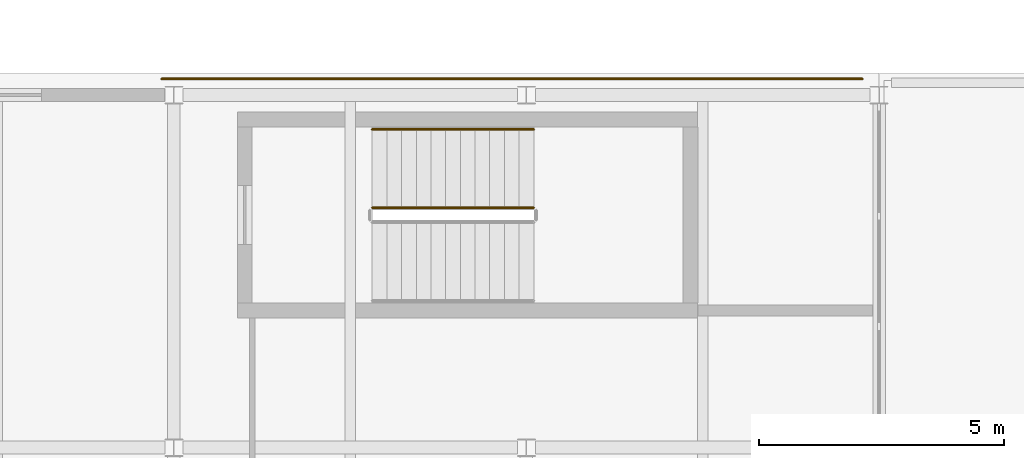
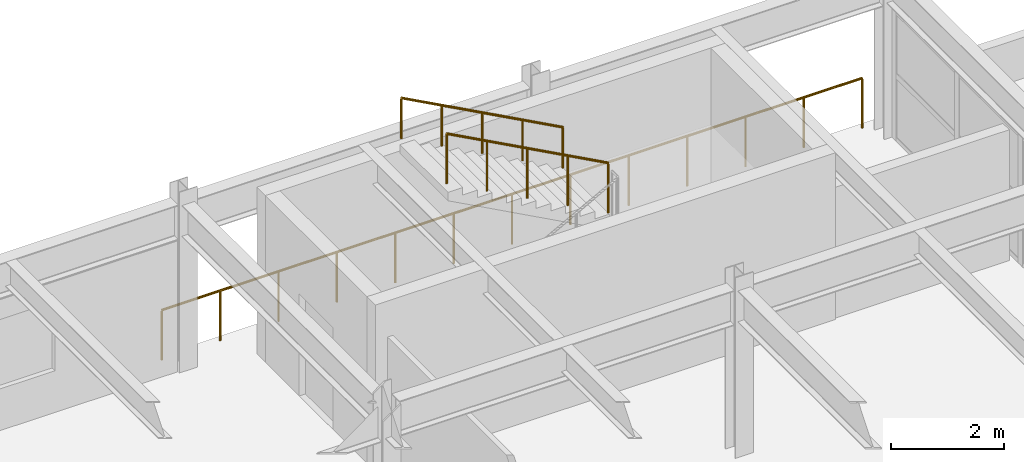
# One storey, part 80 of 80: 3 railings.
"""IFC4 building model written with IfcOpenShell, lengths in metres."""

import ifcopenshell
import ifcopenshell.guid

model = None  # the IFC model being written
_history = None  # IfcOwnerHistory: only IFC2X3 demands one
_inside = {}  # id of a spatial element -> (the spatial element, [elements in it])
_under = {}  # id of a project, library or spatial element -> (it, [spatial elements below it])
_declared = {}  # id of a project -> (the project, [libraries it declares])
_typed = {}  # id of a type object -> (the type object, [elements of that type])
_made_of = {}  # id of a material, layer set ... -> (it, [elements and type objects made of it])


def new_model(schema):
    """Start an empty IFC model of exactly this schema.

    Asked for "IFC4X3", IfcOpenShell would pick the latest addendum, in which some entities
    have other attributes; the version numbers below select the first issue.
    IFC2X3 requires an IfcOwnerHistory on every rooted entity: one is made here for all.
    """
    global model, _history
    if schema == "IFC4X3":
        model = ifcopenshell.file(schema_version=(4, 3, 0, 0))
    else:
        model = ifcopenshell.file(schema=schema)
    _inside.clear()
    _under.clear()
    _declared.clear()
    _typed.clear()
    _made_of.clear()
    _history = None
    if model.schema == "IFC2X3":
        org = make("IfcOrganization", Name="unknown")
        user = make(
            "IfcPersonAndOrganization",
            ThePerson=make("IfcPerson", FamilyName="unknown"),
            TheOrganization=org,
        )
        app = make(
            "IfcApplication",
            ApplicationDeveloper=org,
            Version="unknown",
            ApplicationFullName="unknown",
            ApplicationIdentifier="unknown",
        )
        _history = make(
            "IfcOwnerHistory",
            OwningUser=user,
            OwningApplication=app,
            ChangeAction="ADDED",
            CreationDate=0,
        )
    return model


def make(cls, **values):
    """One entity of the class cls with the attributes given. An attribute that is None is left unset."""
    return model.create_entity(
        cls, **{name: value for name, value in values.items() if value is not None}
    )


def rooted(cls, **values):
    """An entity with a GlobalId (a new one), such as an element, a storey or a relation."""
    return make(cls, GlobalId=ifcopenshell.guid.new(), OwnerHistory=_history, **values)


def si_unit(unit_type, name, prefix=None):
    """IfcSIUnit, for example si_unit("LENGTHUNIT", "METRE", prefix="MILLI")."""
    return make("IfcSIUnit", UnitType=unit_type, Prefix=prefix, Name=name)


def assignment(units):
    """IfcUnitAssignment: the units of a project."""
    return None if units is None else make("IfcUnitAssignment", Units=units)


def point(xyz):
    """IfcCartesianPoint."""
    return None if xyz is None else make("IfcCartesianPoint", Coordinates=xyz)


def direction(xyz):
    """IfcDirection."""
    return None if xyz is None else make("IfcDirection", DirectionRatios=xyz)


def frame(location, z_axis=None, x_axis=None):
    """IfcAxis2Placement3D, a coordinate frame: its origin and axes. An axis left out is left unset."""
    return make(
        "IfcAxis2Placement3D",
        Location=point(location),
        Axis=direction(z_axis),
        RefDirection=direction(x_axis),
    )


def frame_2d(location, x_axis=None):
    """IfcAxis2Placement2D, a coordinate frame in the plane: its origin and x axis."""
    return make(
        "IfcAxis2Placement2D", Location=point(location), RefDirection=direction(x_axis)
    )


def origin():
    """The frame at (0, 0, 0) with its axes left unset."""
    return frame((0.0, 0.0, 0.0))


def origin_2d():
    """The frame at (0, 0) in the plane with its x axis left unset."""
    return frame_2d((0.0, 0.0))


def place(relative_to, where):
    """IfcLocalPlacement: puts the frame where relative to a parent placement (None: the world)."""
    return make(
        "IfcLocalPlacement", PlacementRelTo=relative_to, RelativePlacement=where
    )


def context(
    kind, dimensions, precision=None, world=None, true_north=None, identifier=None
):
    """IfcGeometricRepresentationContext, for example the 3D "Model" context."""
    return make(
        "IfcGeometricRepresentationContext",
        ContextIdentifier=identifier,
        ContextType=kind,
        CoordinateSpaceDimension=dimensions,
        Precision=precision,
        WorldCoordinateSystem=world,
        TrueNorth=true_north,
    )


def subcontext(parent, identifier, kind, view, scale=None):
    """IfcGeometricRepresentationSubContext, for example "Body" below "Model"."""
    return make(
        "IfcGeometricRepresentationSubContext",
        ContextIdentifier=identifier,
        ContextType=kind,
        ParentContext=parent,
        TargetScale=scale,
        TargetView=view,
    )


def project(units=None, contexts=None):
    """IfcProject with its units and contexts."""
    return rooted(
        "IfcProject",
        Name="project",
        RepresentationContexts=contexts,
        UnitsInContext=assignment(units),
    )


def spatial(cls, under=None, at=None, **own):
    """A site, building, storey or space (cls), placed at a placement, below another one or the project."""
    s = rooted(cls, ObjectPlacement=at, **own)
    if under is not None:
        _under.setdefault(under.id(), (under, []))[1].append(s)
    return s


def profile(cls, at=None, kind="AREA", **sizes):
    """A parametric profile (cls). Its sizes go by their IFC names, for example OverallWidth=200.0."""
    return make(cls, ProfileType=kind, Position=at, **sizes)


def circle(**sizes):
    """IfcCircleProfileDef."""
    return profile("IfcCircleProfileDef", **sizes)


def extrude(swept, where, along, depth):
    """IfcExtrudedAreaSolid: the profile swept, set in the frame where, extruded along a direction by depth."""
    return make(
        "IfcExtrudedAreaSolid",
        SweptArea=swept,
        Position=where,
        ExtrudedDirection=direction(along),
        Depth=depth,
    )


def shape(context_of_items, identifier, shape_type, items):
    """IfcShapeRepresentation: the items that make up one representation, for example the "Body"."""
    return make(
        "IfcShapeRepresentation",
        ContextOfItems=context_of_items,
        RepresentationIdentifier=identifier,
        RepresentationType=shape_type,
        Items=items,
    )


def material(Name=None, Category=None):
    """IfcMaterial."""
    return make("IfcMaterial", Name=Name, Category=Category)


def layer(
    of_material, thickness, ventilated=None, Name=None, Category=None, Priority=None
):
    """IfcMaterialLayer: one layer of a wall or slab, of a material (None: an air gap)."""
    return make(
        "IfcMaterialLayer",
        Material=of_material,
        LayerThickness=thickness,
        IsVentilated=ventilated,
        Name=Name,
        Category=Category,
        Priority=Priority,
    )


def layer_set(layers, Name=None):
    """IfcMaterialLayerSet."""
    return make("IfcMaterialLayerSet", MaterialLayers=layers, LayerSetName=Name)


def made_of(thing, what):
    """Note that an element or type object is made of a material, layer set ...; save() writes the relation."""
    if what is not None:
        _made_of.setdefault(what.id(), (what, []))[1].append(thing)
    return thing


def type_object(cls, material=None, **own):
    """A type object (cls), such as IfcWallType, which elements share."""
    return made_of(rooted(cls, **own), material)


def element(
    cls,
    number,
    at=None,
    inside=None,
    cuts=None,
    type_object=None,
    material=None,
    context=None,
    identifier="Body",
    shape_type=None,
    held_by="IfcProductDefinitionShape",
    body=None,
    shapes=None,
    **own,
):
    """One element of the class cls, such as IfcWall. Its Tag is "e" and its number.

    at: its placement. inside: the storey or other place that contains it. cuts: it is an
    opening in that element (IfcRelVoidsElement). A single representation is given by context,
    identifier, shape_type and body (its items); several are given by shapes. held_by: the class
    of the entity that holds the representations. save() writes the other relations.
    """
    e = rooted(cls, Tag="e%d" % number, ObjectPlacement=at, **own)
    if body is not None:
        shapes = [shape(context, identifier, shape_type, body)]
    if shapes is not None:
        e.Representation = make(held_by, Representations=shapes)
    if inside is not None:
        _inside.setdefault(inside.id(), (inside, []))[1].append(e)
    if cuts is not None:
        rooted(
            "IfcRelVoidsElement", RelatingBuildingElement=cuts, RelatedOpeningElement=e
        )
    if type_object is not None:
        _typed.setdefault(type_object.id(), (type_object, []))[1].append(e)
    return made_of(e, material)


def aggregate(whole, parts):
    """IfcRelAggregates: a whole, such as a stair, and the parts it consists of."""
    return rooted("IfcRelAggregates", RelatingObject=whole, RelatedObjects=parts)


def save(model, path):
    """Write the relations noted so far, then the file.

    IfcRelAggregates (storeys below a building ...), IfcRelContainedInSpatialStructure (elements
    in a storey), IfcRelDefinesByType, IfcRelAssociatesMaterial and IfcRelDeclares: one each for
    every whole, place, type object, material and project.
    """
    for whole, parts in _under.values():
        aggregate(whole, parts)
    for where, things in _inside.values():
        rooted(
            "IfcRelContainedInSpatialStructure",
            RelatedElements=things,
            RelatingStructure=where,
        )
    for kind, things in _typed.values():
        rooted("IfcRelDefinesByType", RelatedObjects=things, RelatingType=kind)
    for what, things in _made_of.values():
        rooted("IfcRelAssociatesMaterial", RelatedObjects=things, RelatingMaterial=what)
    for by, libraries in _declared.values():
        rooted("IfcRelDeclares", RelatingContext=by, RelatedDefinitions=libraries)
    model.write(path)


model = new_model("IFC4")

# Units and contexts
model_context = context("Model", 3, precision=1e-05, world=origin(), true_north=direction((0.0, 1.0)))
body_context = subcontext(model_context, "Body", "Model", "MODEL_VIEW")
ifc_project = project(units=[si_unit("LENGTHUNIT", "METRE"), si_unit("AREAUNIT", "SQUARE_METRE"), si_unit("VOLUMEUNIT", "CUBIC_METRE"), si_unit("PLANEANGLEUNIT", "RADIAN"), si_unit("MASSUNIT", "GRAM", prefix="KILO")], contexts=[model_context])

# Site, building, storey
site_placement = place(None, origin())
site = spatial("IfcSite", under=ifc_project, at=site_placement, CompositionType="ELEMENT")
building_placement = place(site_placement, origin())
building = spatial("IfcBuilding", under=site, at=building_placement, Name="Vaelcorin Mobility Hub", CompositionType="ELEMENT")
storey_placement = place(building_placement, frame((0.0, 0.0, 9.300048828125)))
storey = spatial("IfcBuildingStorey", under=building, at=storey_placement, Name="L02", CompositionType="ELEMENT", Elevation=9.300048828125)

# Railings
ifc_material_1 = material(Name="Galvanised structural steel ASTM A36", Category="steel")
ifc_layer_1 = layer(ifc_material_1, 0.070068359375)
ifc_layer_set_1 = layer_set([ifc_layer_1], Name="Galvanised structural steel ASTM A36")
railing_type_1 = type_object("IfcRailingType", Name="RL-GUARD-1100", PredefinedType="BALUSTRADE", material=ifc_layer_set_1)
railing_1_placement = place(storey_placement, frame((174.949951171875, 120.330078125, 0.0)))
element("IfcRailing", 1, at=railing_1_placement, inside=storey, type_object=railing_type_1, Name="L02 Perimeter Guard GR-V5-L02-N-GAP-01", PredefinedType="BALUSTRADE", context=body_context, shape_type="SweptSolid", body=[
    extrude(circle(Radius=0.02392578125, at=origin_2d()), frame((0.0, 0.0, 1.076171875), z_axis=(1.0, 0.0, 0.0), x_axis=(0.0, 1.0, 0.0)), (0.0, 0.0, 1.0), 14.31005859375),
    extrude(circle(Radius=0.02099609375, at=origin_2d()), origin(), (0.0, 0.0, 1.0), 1.052001953125),
    extrude(circle(Radius=0.02099609375, at=origin_2d()), frame((1.1923828125, 0.0, 0.0)), (0.0, 0.0, 1.0), 1.052001953125),
    extrude(circle(Radius=0.02099609375, at=origin_2d()), frame((2.385009765625, 0.0, 0.0)), (0.0, 0.0, 1.0), 1.052001953125),
    extrude(circle(Radius=0.02099609375, at=origin_2d()), frame((3.57763671875, 0.0, 0.0)), (0.0, 0.0, 1.0), 1.052001953125),
    extrude(circle(Radius=0.02099609375, at=origin_2d()), frame((4.77001953125, 0.0, 0.0)), (0.0, 0.0, 1.0), 1.052001953125),
    extrude(circle(Radius=0.02099609375, at=origin_2d()), frame((5.96240234375, 0.0, 0.0)), (0.0, 0.0, 1.0), 1.052001953125),
    extrude(circle(Radius=0.02099609375, at=origin_2d()), frame((7.155029296875, 0.0, 0.0)), (0.0, 0.0, 1.0), 1.052001953125),
    extrude(circle(Radius=0.02099609375, at=origin_2d()), frame((8.34765625, 0.0, 0.0)), (0.0, 0.0, 1.0), 1.052001953125),
    extrude(circle(Radius=0.02099609375, at=origin_2d()), frame((9.5400390625, 0.0, 0.0)), (0.0, 0.0, 1.0), 1.052001953125),
    extrude(circle(Radius=0.02099609375, at=origin_2d()), frame((10.732421875, 0.0, 0.0)), (0.0, 0.0, 1.0), 1.052001953125),
    extrude(circle(Radius=0.02099609375, at=origin_2d()), frame((11.925048828125, 0.0, 0.0)), (0.0, 0.0, 1.0), 1.052001953125),
    extrude(circle(Radius=0.02099609375, at=origin_2d()), frame((13.11767578125, 0.0, 0.0)), (0.0, 0.0, 1.0), 1.052001953125),
    extrude(circle(Radius=0.02099609375, at=origin_2d()), frame((14.31005859375, 0.0, 0.0)), (0.0, 0.0, 1.0), 1.052001953125),
])
ifc_material_2 = material(Name="Brushed stainless steel 316L", Category="steel")
ifc_layer_2 = layer(ifc_material_2, 0.048095703125)
ifc_layer_set_2 = layer_set([ifc_layer_2], Name="Brushed stainless steel 316L")
railing_type_2 = type_object("IfcRailingType", Name="RL-STAIR-GRD", PredefinedType="GUARDRAIL", material=ifc_layer_set_2)
railing_2_placement = place(storey_placement, frame((182.550048828125, 117.699951171875, 2.112548828125)))
element("IfcRailing", 2, at=railing_2_placement, inside=storey, type_object=railing_type_2, Name="L02 ST6 stair guard 3", PredefinedType="GUARDRAIL", context=body_context, shape_type="SweptSolid", body=[
    extrude(circle(Radius=0.02392578125, at=origin_2d()), frame((0.0, 0.0, 1.076171875), z_axis=(-0.879311263194, 0.0, 0.47624752222), x_axis=(0.0, -1.0, 0.0)), (0.0, 0.0, 1.0), 3.7529296875),
    extrude(circle(Radius=0.02099609375, at=origin_2d()), origin(), (0.0, 0.0, 1.0), 1.052001953125),
    extrude(circle(Radius=0.02099609375, at=origin_2d()), frame((-0.824951171875, 0.0, 0.44677734375)), (0.0, 0.0, 1.0), 1.052001953125),
    extrude(circle(Radius=0.02099609375, at=origin_2d()), frame((-1.64990234375, 0.0, 0.8935546875)), (0.0, 0.0, 1.0), 1.052001953125),
    extrude(circle(Radius=0.02099609375, at=origin_2d()), frame((-2.47509765625, 0.0, 1.340576171875)), (0.0, 0.0, 1.0), 1.052001953125),
    extrude(circle(Radius=0.02099609375, at=origin_2d()), frame((-3.300048828125, 0.0, 1.787353515625)), (0.0, 0.0, 1.0), 1.052001953125),
])
ifc_layer_3 = layer(ifc_material_2, 0.048095703125)
ifc_layer_set_3 = layer_set([ifc_layer_3], Name="Brushed stainless steel 316L")
railing_type_3 = type_object("IfcRailingType", Name="RL-STAIR-HR", PredefinedType="HANDRAIL", material=ifc_layer_set_3)
railing_3_placement = place(storey_placement, frame((182.550048828125, 119.300048828125, 2.112548828125)))
element("IfcRailing", 3, at=railing_3_placement, inside=storey, type_object=railing_type_3, Name="L02 ST6 stair handrail 2", PredefinedType="HANDRAIL", context=body_context, shape_type="SweptSolid", body=[
    extrude(circle(Radius=0.02392578125, at=origin_2d()), frame((0.0, 0.0, 0.8759765625), z_axis=(-0.879311263194, 0.0, 0.47624752222), x_axis=(0.0, -1.0, 0.0)), (0.0, 0.0, 1.0), 3.7529296875),
    extrude(circle(Radius=0.02099609375, at=origin_2d()), origin(), (0.0, 0.0, 1.0), 0.851806640625),
    extrude(circle(Radius=0.02099609375, at=origin_2d()), frame((-0.824951171875, 0.0, 0.44677734375)), (0.0, 0.0, 1.0), 0.851806640625),
    extrude(circle(Radius=0.02099609375, at=origin_2d()), frame((-1.64990234375, 0.0, 0.8935546875)), (0.0, 0.0, 1.0), 0.851806640625),
    extrude(circle(Radius=0.02099609375, at=origin_2d()), frame((-2.47509765625, 0.0, 1.340576171875)), (0.0, 0.0, 1.0), 0.851806640625),
    extrude(circle(Radius=0.02099609375, at=origin_2d()), frame((-3.300048828125, 0.0, 1.787353515625)), (0.0, 0.0, 1.0), 0.851806640625),
])

save(model, "model.ifc")
